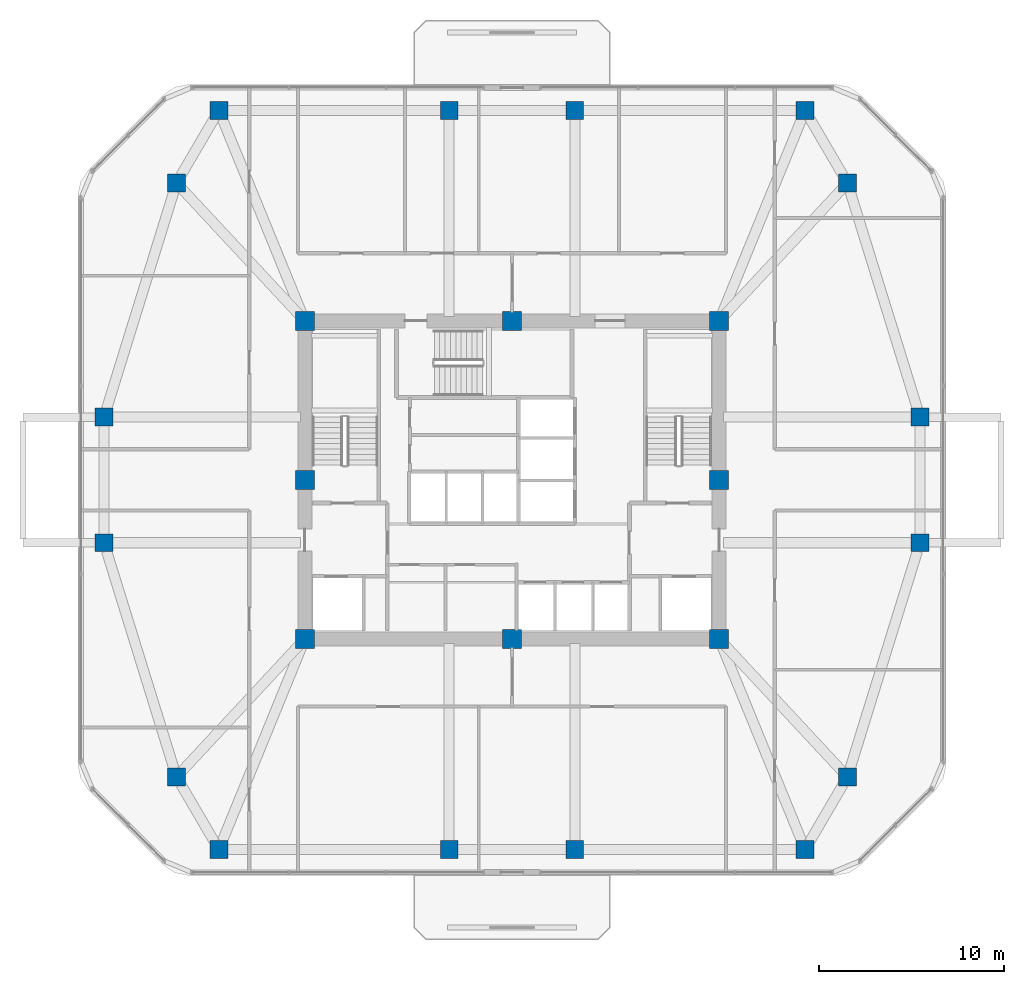
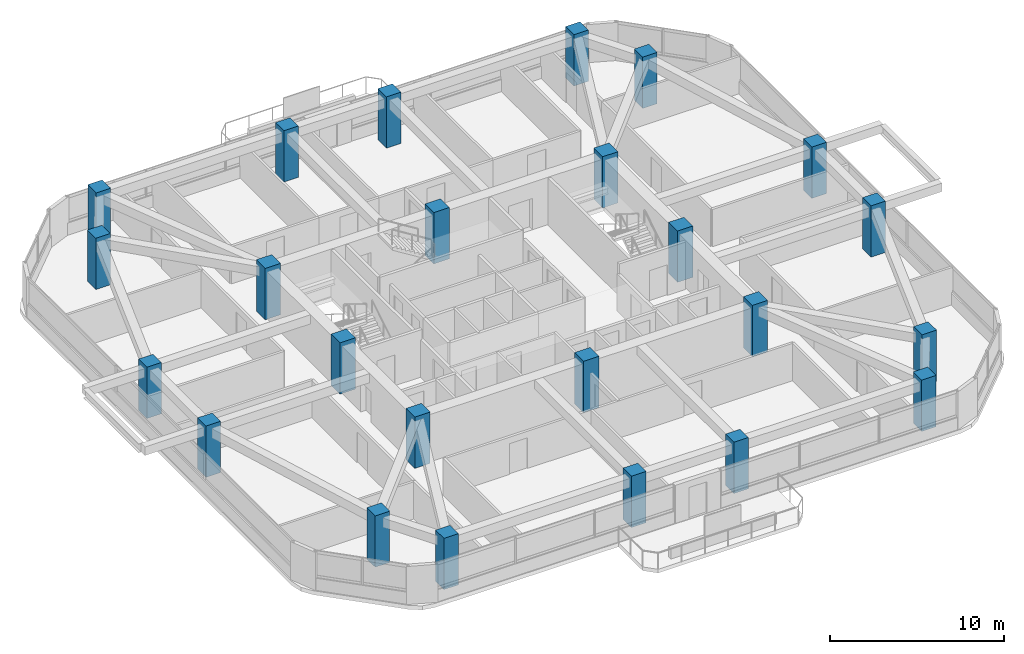
# One storey, part 1 of 11: 24 columns.
"""IFC4 building model written with IfcOpenShell, lengths in metres."""

import ifcopenshell
import ifcopenshell.guid

model = None  # the IFC model being written
_history = None  # IfcOwnerHistory: only IFC2X3 demands one
_inside = {}  # id of a spatial element -> (the spatial element, [elements in it])
_under = {}  # id of a project, library or spatial element -> (it, [spatial elements below it])
_declared = {}  # id of a project -> (the project, [libraries it declares])
_typed = {}  # id of a type object -> (the type object, [elements of that type])
_made_of = {}  # id of a material, layer set ... -> (it, [elements and type objects made of it])


def new_model(schema):
    """Start an empty IFC model of exactly this schema.

    Asked for "IFC4X3", IfcOpenShell would pick the latest addendum, in which some entities
    have other attributes; the version numbers below select the first issue.
    IFC2X3 requires an IfcOwnerHistory on every rooted entity: one is made here for all.
    """
    global model, _history
    if schema == "IFC4X3":
        model = ifcopenshell.file(schema_version=(4, 3, 0, 0))
    else:
        model = ifcopenshell.file(schema=schema)
    _inside.clear()
    _under.clear()
    _declared.clear()
    _typed.clear()
    _made_of.clear()
    _history = None
    if model.schema == "IFC2X3":
        org = make("IfcOrganization", Name="unknown")
        user = make(
            "IfcPersonAndOrganization",
            ThePerson=make("IfcPerson", FamilyName="unknown"),
            TheOrganization=org,
        )
        app = make(
            "IfcApplication",
            ApplicationDeveloper=org,
            Version="unknown",
            ApplicationFullName="unknown",
            ApplicationIdentifier="unknown",
        )
        _history = make(
            "IfcOwnerHistory",
            OwningUser=user,
            OwningApplication=app,
            ChangeAction="ADDED",
            CreationDate=0,
        )
    return model


def make(cls, **values):
    """One entity of the class cls with the attributes given. An attribute that is None is left unset."""
    return model.create_entity(
        cls, **{name: value for name, value in values.items() if value is not None}
    )


def rooted(cls, **values):
    """An entity with a GlobalId (a new one), such as an element, a storey or a relation."""
    return make(cls, GlobalId=ifcopenshell.guid.new(), OwnerHistory=_history, **values)


def si_unit(unit_type, name, prefix=None):
    """IfcSIUnit, for example si_unit("LENGTHUNIT", "METRE", prefix="MILLI")."""
    return make("IfcSIUnit", UnitType=unit_type, Prefix=prefix, Name=name)


def derived_unit(unit_type, elements):
    """IfcDerivedUnit: a product of units, each with its exponent."""
    return make(
        "IfcDerivedUnit",
        Elements=[
            make("IfcDerivedUnitElement", Unit=unit, Exponent=power)
            for unit, power in elements
        ],
        UnitType=unit_type,
    )


def assignment(units):
    """IfcUnitAssignment: the units of a project."""
    return None if units is None else make("IfcUnitAssignment", Units=units)


def point(xyz):
    """IfcCartesianPoint."""
    return None if xyz is None else make("IfcCartesianPoint", Coordinates=xyz)


def direction(xyz):
    """IfcDirection."""
    return None if xyz is None else make("IfcDirection", DirectionRatios=xyz)


def frame(location, z_axis=None, x_axis=None):
    """IfcAxis2Placement3D, a coordinate frame: its origin and axes. An axis left out is left unset."""
    return make(
        "IfcAxis2Placement3D",
        Location=point(location),
        Axis=direction(z_axis),
        RefDirection=direction(x_axis),
    )


def frame_2d(location, x_axis=None):
    """IfcAxis2Placement2D, a coordinate frame in the plane: its origin and x axis."""
    return make(
        "IfcAxis2Placement2D", Location=point(location), RefDirection=direction(x_axis)
    )


def origin():
    """The frame at (0, 0, 0) with its axes left unset."""
    return frame((0.0, 0.0, 0.0))


def origin_2d():
    """The frame at (0, 0) in the plane with its x axis left unset."""
    return frame_2d((0.0, 0.0))


def place(relative_to, where):
    """IfcLocalPlacement: puts the frame where relative to a parent placement (None: the world)."""
    return make(
        "IfcLocalPlacement", PlacementRelTo=relative_to, RelativePlacement=where
    )


def context(
    kind, dimensions, precision=None, world=None, true_north=None, identifier=None
):
    """IfcGeometricRepresentationContext, for example the 3D "Model" context."""
    return make(
        "IfcGeometricRepresentationContext",
        ContextIdentifier=identifier,
        ContextType=kind,
        CoordinateSpaceDimension=dimensions,
        Precision=precision,
        WorldCoordinateSystem=world,
        TrueNorth=true_north,
    )


def subcontext(parent, identifier, kind, view, scale=None):
    """IfcGeometricRepresentationSubContext, for example "Body" below "Model"."""
    return make(
        "IfcGeometricRepresentationSubContext",
        ContextIdentifier=identifier,
        ContextType=kind,
        ParentContext=parent,
        TargetScale=scale,
        TargetView=view,
    )


def project(units=None, contexts=None):
    """IfcProject with its units and contexts."""
    return rooted(
        "IfcProject",
        Name="project",
        RepresentationContexts=contexts,
        UnitsInContext=assignment(units),
    )


def spatial(cls, under=None, at=None, **own):
    """A site, building, storey or space (cls), placed at a placement, below another one or the project."""
    s = rooted(cls, ObjectPlacement=at, **own)
    if under is not None:
        _under.setdefault(under.id(), (under, []))[1].append(s)
    return s


def profile(cls, at=None, kind="AREA", **sizes):
    """A parametric profile (cls). Its sizes go by their IFC names, for example OverallWidth=200.0."""
    return make(cls, ProfileType=kind, Position=at, **sizes)


def rectangle(**sizes):
    """IfcRectangleProfileDef."""
    return profile("IfcRectangleProfileDef", **sizes)


def extrude(swept, where, along, depth):
    """IfcExtrudedAreaSolid: the profile swept, set in the frame where, extruded along a direction by depth."""
    return make(
        "IfcExtrudedAreaSolid",
        SweptArea=swept,
        Position=where,
        ExtrudedDirection=direction(along),
        Depth=depth,
    )


def shape(context_of_items, identifier, shape_type, items):
    """IfcShapeRepresentation: the items that make up one representation, for example the "Body"."""
    return make(
        "IfcShapeRepresentation",
        ContextOfItems=context_of_items,
        RepresentationIdentifier=identifier,
        RepresentationType=shape_type,
        Items=items,
    )


def material(Name=None, Category=None):
    """IfcMaterial."""
    return make("IfcMaterial", Name=Name, Category=Category)


def material_profile(
    of_material, cross_section, Name=None, Category=None, Priority=None
):
    """IfcMaterialProfile: a cross section and its material."""
    return make(
        "IfcMaterialProfile",
        Name=Name,
        Material=of_material,
        Profile=cross_section,
        Priority=Priority,
        Category=Category,
    )


def profile_set(profiles, Name=None, composite=None):
    """IfcMaterialProfileSet."""
    return make(
        "IfcMaterialProfileSet",
        Name=Name,
        MaterialProfiles=profiles,
        CompositeProfile=composite,
    )


def made_of(thing, what):
    """Note that an element or type object is made of a material, layer set ...; save() writes the relation."""
    if what is not None:
        _made_of.setdefault(what.id(), (what, []))[1].append(thing)
    return thing


def type_object(cls, material=None, **own):
    """A type object (cls), such as IfcWallType, which elements share."""
    return made_of(rooted(cls, **own), material)


def element(
    cls,
    number,
    at=None,
    inside=None,
    cuts=None,
    type_object=None,
    material=None,
    context=None,
    identifier="Body",
    shape_type=None,
    held_by="IfcProductDefinitionShape",
    body=None,
    shapes=None,
    **own,
):
    """One element of the class cls, such as IfcWall. Its Tag is "e" and its number.

    at: its placement. inside: the storey or other place that contains it. cuts: it is an
    opening in that element (IfcRelVoidsElement). A single representation is given by context,
    identifier, shape_type and body (its items); several are given by shapes. held_by: the class
    of the entity that holds the representations. save() writes the other relations.
    """
    e = rooted(cls, Tag="e%d" % number, ObjectPlacement=at, **own)
    if body is not None:
        shapes = [shape(context, identifier, shape_type, body)]
    if shapes is not None:
        e.Representation = make(held_by, Representations=shapes)
    if inside is not None:
        _inside.setdefault(inside.id(), (inside, []))[1].append(e)
    if cuts is not None:
        rooted(
            "IfcRelVoidsElement", RelatingBuildingElement=cuts, RelatedOpeningElement=e
        )
    if type_object is not None:
        _typed.setdefault(type_object.id(), (type_object, []))[1].append(e)
    return made_of(e, material)


def aggregate(whole, parts):
    """IfcRelAggregates: a whole, such as a stair, and the parts it consists of."""
    return rooted("IfcRelAggregates", RelatingObject=whole, RelatedObjects=parts)


def save(model, path):
    """Write the relations noted so far, then the file.

    IfcRelAggregates (storeys below a building ...), IfcRelContainedInSpatialStructure (elements
    in a storey), IfcRelDefinesByType, IfcRelAssociatesMaterial and IfcRelDeclares: one each for
    every whole, place, type object, material and project.
    """
    for whole, parts in _under.values():
        aggregate(whole, parts)
    for where, things in _inside.values():
        rooted(
            "IfcRelContainedInSpatialStructure",
            RelatedElements=things,
            RelatingStructure=where,
        )
    for kind, things in _typed.values():
        rooted("IfcRelDefinesByType", RelatedObjects=things, RelatingType=kind)
    for what, things in _made_of.values():
        rooted("IfcRelAssociatesMaterial", RelatedObjects=things, RelatingMaterial=what)
    for by, libraries in _declared.values():
        rooted("IfcRelDeclares", RelatingContext=by, RelatedDefinitions=libraries)
    model.write(path)


model = new_model("IFC4")

# Units and contexts
model_context = context("Model", 3, precision=1e-05, world=origin(), true_north=direction((0.0, 1.0)))
body_context = subcontext(model_context, "Body", "Model", "MODEL_VIEW")
ifc_project = project(units=[si_unit("LENGTHUNIT", "METRE"), si_unit("AREAUNIT", "SQUARE_METRE"), si_unit("VOLUMEUNIT", "CUBIC_METRE"), si_unit("PLANEANGLEUNIT", "RADIAN"), si_unit("MASSUNIT", "GRAM", prefix="KILO"), derived_unit("THERMALTRANSMITTANCEUNIT", [(si_unit("POWERUNIT", "WATT"), 1), (si_unit("LENGTHUNIT", "METRE"), -2), (si_unit("THERMODYNAMICTEMPERATUREUNIT", "KELVIN"), -1)])], contexts=[model_context])

# Site, building, storey
site_placement = place(None, origin())
site = spatial("IfcSite", under=ifc_project, at=site_placement, CompositionType="ELEMENT")
building_placement = place(site_placement, origin())
building = spatial("IfcBuilding", under=site, at=building_placement, Name="Koralith Skygarden Medical Center", CompositionType="ELEMENT")
storey_placement = place(building_placement, frame((0.0, 0.0, 167.219970703125)))
storey = spatial("IfcBuildingStorey", under=building, at=storey_placement, Name="L43", CompositionType="ELEMENT", Elevation=167.219970703125)

# Columns
ifc_material_1 = material(Name="Concrete C70/85", Category="concrete")
ifc_material_profile_1 = material_profile(ifc_material_1, rectangle(XDim=1.02001953125, YDim=1.02001953125, at=origin_2d()), Name="RC1020X1020")
ifc_profile_set_1 = profile_set([ifc_material_profile_1], Name="Concrete C70/85")
column_type_1 = type_object("IfcColumnType", Name="Core Mega-Column C70 RC1020", PredefinedType="COLUMN", material=ifc_profile_set_1)
for number, where, z_axis, x_axis, name in (
    (1, (25.800048828125, 17.300048828125, 0.0), (0.0, 0.0, 1.0), (1.0, 0.0, 0.0), "L43 Core Column CC-01"),
    (2, (37.0, 17.300048828125, 0.0), (0.0, 0.0, 1.0), (1.0, 0.0, 0.0), "L43 Core Column CC-02"),
    (3, (48.199951171875, 17.300048828125, 0.0), (0.0, 0.0, 1.0), (1.0, 0.0, 0.0), "L43 Core Column CC-03"),
    (4, (48.199951171875, 25.89990234375, 0.0), (0.0, 0.0, 1.0), (1.0, 0.0, 0.0), "L43 Core Column CC-04"),
    (5, (48.199951171875, 34.5, 0.0), (0.0, 0.0, 1.0), (1.0, 0.0, 0.0), "L43 Core Column CC-05"),
    (6, (37.0, 34.5, 0.0), (0.0, 0.0, 1.0), (1.0, 0.0, 0.0), "L43 Core Column CC-06"),
    (7, (25.800048828125, 34.5, 0.0), (0.0, 0.0, 1.0), (1.0, 0.0, 0.0), "L43 Core Column CC-07"),
    (8, (25.800048828125, 25.89990234375, 0.0), (0.0, 0.0, 1.0), (1.0, 0.0, 0.0), "L43 Core Column CC-08"),
):
    element("IfcColumn", number, at=place(storey_placement, frame(where, z_axis=z_axis, x_axis=x_axis)), inside=storey, type_object=column_type_1, Name=name, PredefinedType="COLUMN", context=body_context, shape_type="SweptSolid", body=[
        extrude(rectangle(XDim=1.02001953125, YDim=1.02001953125, at=origin_2d()), origin(), (0.0, 0.0, 1.0), 3.60009765625),
    ])
ifc_material_2 = material(Name="Concrete C55/67", Category="concrete")
ifc_material_profile_2 = material_profile(ifc_material_2, rectangle(XDim=0.9599609375, YDim=0.9599609375, at=origin_2d()), Name="RC960X960")
ifc_profile_set_2 = profile_set([ifc_material_profile_2], Name="Concrete C55/67")
column_type_2 = type_object("IfcColumnType", Name="Zone 3 Waist Mega-Column C55 RC960", PredefinedType="COLUMN", material=ifc_profile_set_2)
for number, where, z_axis, x_axis, name in (
    (9, (14.93603515625, 22.5, 0.0), (0.0, 0.0, 1.0), (1.0, 0.0, 0.0), "L43 Perimeter Mega-Column MC-01"),
    (10, (18.85595703125, 9.840087890625, 0.0), (0.0, 0.0, 1.0), (1.0, 0.0, 0.0), "L43 Perimeter Mega-Column MC-02"),
    (11, (21.14794921875, 5.919921875, 0.0), (0.0, 0.0, 1.0), (1.0, 0.0, 0.0), "L43 Perimeter Mega-Column MC-03"),
    (12, (33.60009765625, 5.919921875, 0.0), (0.0, 0.0, 1.0), (1.0, 0.0, 0.0), "L43 Perimeter Mega-Column MC-04"),
    (13, (40.39990234375, 5.919921875, 0.0), (0.0, 0.0, 1.0), (1.0, 0.0, 0.0), "L43 Perimeter Mega-Column MC-05"),
    (14, (52.85205078125, 5.919921875, 0.0), (0.0, 0.0, 1.0), (1.0, 0.0, 0.0), "L43 Perimeter Mega-Column MC-06"),
    (15, (55.14404296875, 9.840087890625, 0.0), (0.0, 0.0, 1.0), (1.0, 0.0, 0.0), "L43 Perimeter Mega-Column MC-07"),
    (16, (59.06396484375, 22.5, 0.0), (0.0, 0.0, 1.0), (1.0, 0.0, 0.0), "L43 Perimeter Mega-Column MC-08"),
    (17, (59.06396484375, 29.300048828125, 0.0), (0.0, 0.0, 1.0), (1.0, 0.0, 0.0), "L43 Perimeter Mega-Column MC-09"),
    (18, (55.14404296875, 41.9599609375, 0.0), (0.0, 0.0, 1.0), (1.0, 0.0, 0.0), "L43 Perimeter Mega-Column MC-10"),
    (19, (52.85205078125, 45.8798828125, 0.0), (0.0, 0.0, 1.0), (1.0, 0.0, 0.0), "L43 Perimeter Mega-Column MC-11"),
    (20, (40.39990234375, 45.8798828125, 0.0), (0.0, 0.0, 1.0), (1.0, 0.0, 0.0), "L43 Perimeter Mega-Column MC-12"),
    (21, (33.60009765625, 45.8798828125, 0.0), (0.0, 0.0, 1.0), (1.0, 0.0, 0.0), "L43 Perimeter Mega-Column MC-13"),
    (22, (21.14794921875, 45.8798828125, 0.0), (0.0, 0.0, 1.0), (1.0, 0.0, 0.0), "L43 Perimeter Mega-Column MC-14"),
    (23, (18.85595703125, 41.9599609375, 0.0), (0.0, 0.0, 1.0), (1.0, 0.0, 0.0), "L43 Perimeter Mega-Column MC-15"),
    (24, (14.93603515625, 29.300048828125, 0.0), (0.0, 0.0, 1.0), (1.0, 0.0, 0.0), "L43 Perimeter Mega-Column MC-16"),
):
    element("IfcColumn", number, at=place(storey_placement, frame(where, z_axis=z_axis, x_axis=x_axis)), inside=storey, type_object=column_type_2, Name=name, PredefinedType="COLUMN", context=body_context, shape_type="SweptSolid", body=[
        extrude(rectangle(XDim=0.9599609375, YDim=0.9599609375, at=origin_2d()), origin(), (0.0, 0.0, 1.0), 3.60009765625),
    ])

save(model, "model.ifc")
